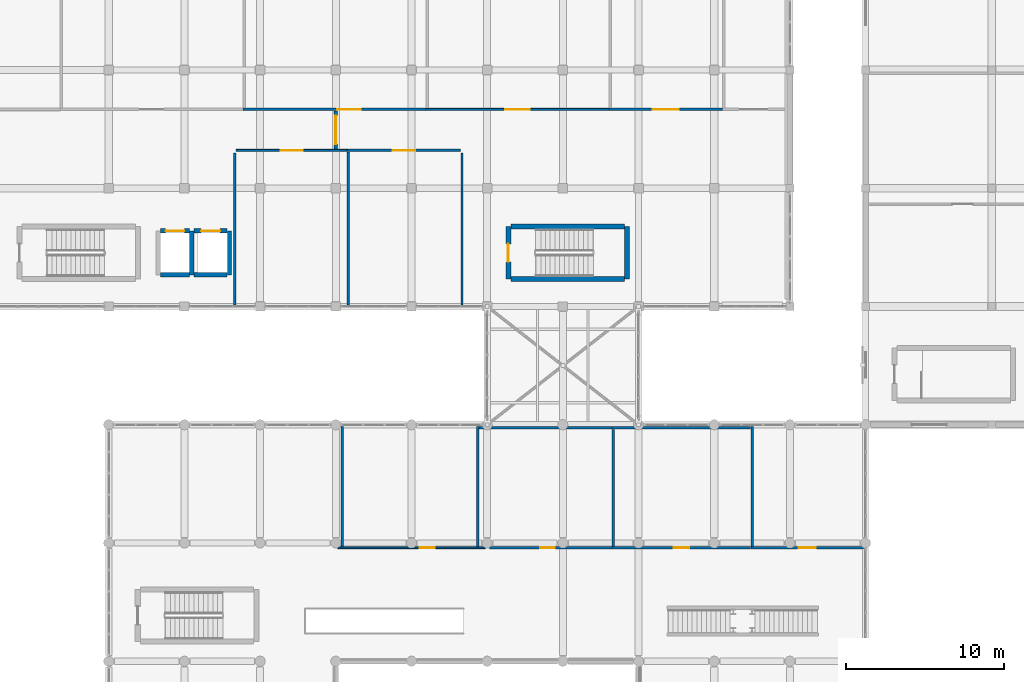
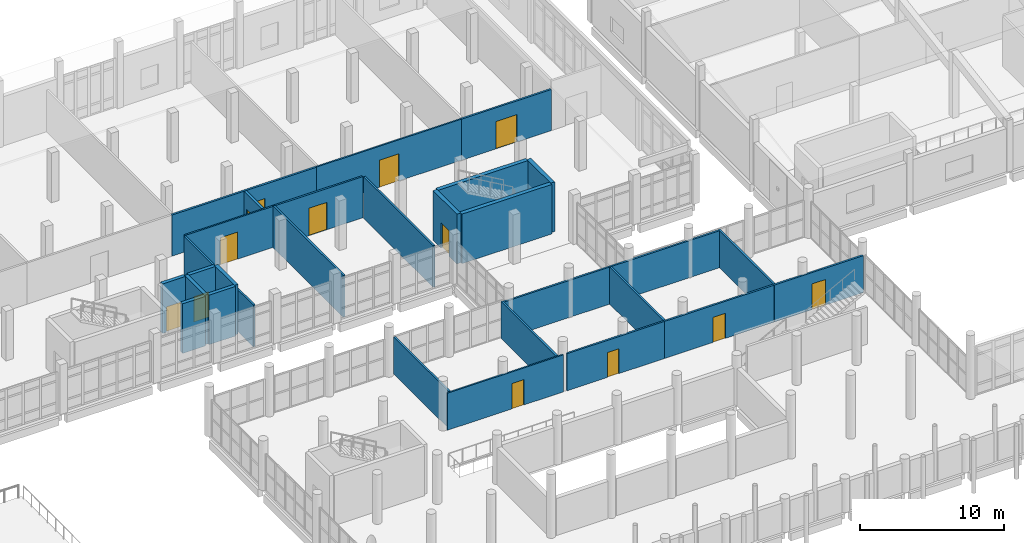
# One storey, part 145 of 164: 29 walls, 13 doors, 13 openings.
"""IFC4 building model written with IfcOpenShell, lengths in metres."""

from ifc_helpers import new_model, si_unit, direction, frame, frame_2d, origin, place, context, subcontext, project, spatial, rectangle, extrude, material, layer, layer_set, type_object, element, fill, save


model = new_model("IFC4")

# Units and contexts
model_context = context("Model", 3, precision=1e-05, world=origin(), true_north=direction((0.0, 1.0)))
body_context = subcontext(model_context, "Body", "Model", "MODEL_VIEW")
ifc_project = project(units=[si_unit("LENGTHUNIT", "METRE"), si_unit("AREAUNIT", "SQUARE_METRE"), si_unit("VOLUMEUNIT", "CUBIC_METRE"), si_unit("PLANEANGLEUNIT", "RADIAN"), si_unit("MASSUNIT", "GRAM", prefix="KILO")], contexts=[model_context])

# Site, building, storey
site_placement = place(None, origin())
site = spatial("IfcSite", under=ifc_project, at=site_placement, CompositionType="ELEMENT")
building_placement = place(site_placement, origin())
building = spatial("IfcBuilding", under=site, at=building_placement, Name="Mawjan Specialist Oncology Clinic", CompositionType="ELEMENT")
storey_placement = place(building_placement, frame((0.0, 0.0, 5.0)))
storey = spatial("IfcBuildingStorey", under=building, at=storey_placement, Name="L01", CompositionType="ELEMENT", Elevation=5.0)

# Walls
ifc_material_1 = material(Name="Concrete C45/55", Category="concrete")
ifc_layer_1 = layer(ifc_material_1, 0.280029296875, Name="Concrete C45/55", Category="concrete")
ifc_layer_set_1 = layer_set([ifc_layer_1], Name="Concrete C45/55")
wall_type_1 = type_object("IfcWallType", Name="SW-300", PredefinedType="SHEAR", material=ifc_layer_set_1)
wall_1_placement = place(storey_placement, frame((63.2861328125, 85.306640625, 0.0), z_axis=(0.0, 0.0, 1.0), x_axis=(1.0, 0.0, 0.0)))
element("IfcWall", 1, at=wall_1_placement, inside=storey, type_object=wall_type_1, Name="L01 LF-05 Hoistway Wall 1", PredefinedType="SHEAR", context=body_context, shape_type="SweptSolid", body=[
    extrude(rectangle(XDim=1.827880859375, YDim=0.280029296875, at=frame_2d((0.9140625, 0.0))), origin(), (0.0, 0.0, 1.0), 4.199951171875),
])
wall_2_placement = place(storey_placement, frame((65.259033203125, 85.306640625, 0.0), z_axis=(0.0, 0.0, 1.0), x_axis=(0.0, 1.0, 0.0)))
element("IfcWall", 2, at=wall_2_placement, inside=storey, type_object=wall_type_1, Name="L01 LF-05 Hoistway Wall 2", PredefinedType="SHEAR", context=body_context, shape_type="SweptSolid", body=[
    extrude(rectangle(XDim=2.78662109375, YDim=0.280029296875, at=frame_2d((1.393310546875, 0.0))), origin(), (0.0, 0.0, 1.0), 4.199951171875),
])

# Wall, opening, door
wall_3_placement = place(storey_placement, frame((65.114013671875, 88.09326171875, 0.0), z_axis=(0.0, 0.0, 1.0), x_axis=(-1.0, 0.0, 0.0)))
wall_3 = element("IfcWall", 3, at=wall_3_placement, inside=storey, type_object=wall_type_1, Name="L01 LF-05 Hoistway Wall 3", PredefinedType="SHEAR", context=body_context, shape_type="SweptSolid", body=[
    extrude(rectangle(XDim=1.827880859375, YDim=0.280029296875, at=frame_2d((0.9140625, 0.0))), origin(), (0.0, 0.0, 1.0), 4.199951171875),
])
opening_1_placement = place(wall_3_placement, frame((0.31396484375, 0.0, 0.0)))
opening_1 = element("IfcOpeningElement", 4, at=opening_1_placement, cuts=wall_3, Name="Opening LD-05-L01", PredefinedType="OPENING", context=body_context, shape_type="SweptSolid", body=[
    extrude(rectangle(XDim=1.199951171875, YDim=2.14990234375, at=frame_2d((0.60009765625, 1.074951171875))), frame((0.0, 0.152099609375, 0.0), z_axis=(0.0, -1.0, 0.0), x_axis=(1.0, 0.0, 0.0)), (0.0, 0.0, 1.0), 0.303955078125),
])
ifc_material_2 = material(Name="Stainless-steel fire-rated hospital door", Category="steel")
door_type_1 = type_object("IfcDoorType", Name="LD-120", OperationType="SLIDING_TO_LEFT", PredefinedType="DOOR", material=ifc_material_2)
door_1_placement = place(opening_1_placement, origin())
door_1 = element("IfcDoor", 5, at=door_1_placement, inside=storey, type_object=door_type_1, Name="L01 LF-05 Sliding Lift Landing Door", OperationType="SLIDING_TO_LEFT", OverallHeight=2.14990234375, OverallWidth=1.199951171875, PredefinedType="DOOR", context=body_context, shape_type="SweptSolid", body=[
    extrude(rectangle(XDim=1.199951171875, YDim=2.14990234375, at=frame_2d((0.60009765625, 1.074951171875))), frame((0.0, 0.02490234375, 0.0), z_axis=(0.0, -1.0, 0.0), x_axis=(1.0, 0.0, 0.0)), (0.0, 0.0, 1.0), 0.050048828125),
])
fill(opening_1, door_1)

# Walls
wall_4_placement = place(storey_placement, frame((65.40380859375, 85.306640625, 0.0), z_axis=(0.0, 0.0, 1.0), x_axis=(1.0, 0.0, 0.0)))
element("IfcWall", 6, at=wall_4_placement, inside=storey, type_object=wall_type_1, Name="L01 LF-06 Hoistway Wall 1", PredefinedType="SHEAR", context=body_context, shape_type="SweptSolid", body=[
    extrude(rectangle(XDim=2.110107421875, YDim=0.280029296875, at=frame_2d((1.05517578125, 0.0))), origin(), (0.0, 0.0, 1.0), 4.199951171875),
])
wall_5_placement = place(storey_placement, frame((67.658935546875, 85.306640625, 0.0), z_axis=(0.0, 0.0, 1.0), x_axis=(0.0, 1.0, 0.0)))
element("IfcWall", 7, at=wall_5_placement, inside=storey, type_object=wall_type_1, Name="L01 LF-06 Hoistway Wall 2", PredefinedType="SHEAR", context=body_context, shape_type="SweptSolid", body=[
    extrude(rectangle(XDim=2.78662109375, YDim=0.280029296875, at=frame_2d((1.393310546875, 0.0))), origin(), (0.0, 0.0, 1.0), 4.199951171875),
])

# Wall, opening, door
wall_6_placement = place(storey_placement, frame((67.513916015625, 88.09326171875, 0.0), z_axis=(0.0, 0.0, 1.0), x_axis=(-1.0, 0.0, 0.0)))
wall_6 = element("IfcWall", 8, at=wall_6_placement, inside=storey, type_object=wall_type_1, Name="L01 LF-06 Hoistway Wall 3", PredefinedType="SHEAR", context=body_context, shape_type="SweptSolid", body=[
    extrude(rectangle(XDim=2.110107421875, YDim=0.280029296875, at=frame_2d((1.05517578125, 0.0))), origin(), (0.0, 0.0, 1.0), 4.199951171875),
])
opening_2_placement = place(wall_6_placement, frame((0.455078125, 0.0, 0.0)))
opening_2 = element("IfcOpeningElement", 9, at=opening_2_placement, cuts=wall_6, Name="Opening LD-06-L01", PredefinedType="OPENING", context=body_context, shape_type="SweptSolid", body=[
    extrude(rectangle(XDim=1.199951171875, YDim=2.14990234375, at=frame_2d((0.60009765625, 1.074951171875))), frame((0.0, 0.152099609375, 0.0), z_axis=(0.0, -1.0, 0.0), x_axis=(1.0, 0.0, 0.0)), (0.0, 0.0, 1.0), 0.303955078125),
])
door_2_placement = place(opening_2_placement, origin())
door_2 = element("IfcDoor", 10, at=door_2_placement, inside=storey, type_object=door_type_1, Name="L01 LF-06 Sliding Lift Landing Door", OperationType="SLIDING_TO_RIGHT", OverallHeight=2.14990234375, OverallWidth=1.199951171875, PredefinedType="DOOR", context=body_context, shape_type="SweptSolid", body=[
    extrude(rectangle(XDim=1.199951171875, YDim=2.14990234375, at=frame_2d((0.60009765625, 1.074951171875))), frame((0.0, 0.02490234375, 0.0), z_axis=(0.0, -1.0, 0.0), x_axis=(1.0, 0.0, 0.0)), (0.0, 0.0, 1.0), 0.050048828125),
])
fill(opening_2, door_2)

# Walls
ifc_material_3 = material(Name="Concrete C45/55", Category="concrete")
ifc_layer_2 = layer(ifc_material_3, 0.320068359375, Name="Concrete C45/55", Category="concrete")
ifc_layer_set_2 = layer_set([ifc_layer_2], Name="Concrete C45/55")
wall_type_2 = type_object("IfcWallType", Name="SW-350", PredefinedType="SHEAR", material=ifc_layer_set_2)
wall_7_placement = place(storey_placement, frame((85.5048828125, 85.0400390625, 0.0), z_axis=(0.0, 0.0, 1.0), x_axis=(1.0, 0.0, 0.0)))
element("IfcWall", 11, at=wall_7_placement, inside=storey, type_object=wall_type_2, Name="L01 Core K4 Stair Shear Wall 1", PredefinedType="SHEAR", context=body_context, shape_type="SweptSolid", body=[
    extrude(rectangle(XDim=7.190185546875, YDim=0.320068359375, at=frame_2d((3.59521484375, 0.0))), origin(), (0.0, 0.0, 1.0), 4.199951171875),
])
wall_8_placement = place(storey_placement, frame((92.860107421875, 85.0400390625, 0.0), z_axis=(0.0, 0.0, 1.0), x_axis=(0.0, 1.0, 0.0)))
element("IfcWall", 12, at=wall_8_placement, inside=storey, type_object=wall_type_2, Name="L01 Core K4 Stair Shear Wall 2", PredefinedType="SHEAR", context=body_context, shape_type="SweptSolid", body=[
    extrude(rectangle(XDim=3.320068359375, YDim=0.320068359375, at=frame_2d((1.66015625, 0.0))), origin(), (0.0, 0.0, 1.0), 4.199951171875),
])
wall_9_placement = place(storey_placement, frame((92.695068359375, 88.360107421875, 0.0), z_axis=(0.0, 0.0, 1.0), x_axis=(-1.0, 0.0, 0.0)))
element("IfcWall", 13, at=wall_9_placement, inside=storey, type_object=wall_type_2, Name="L01 Core K4 Stair Shear Wall 3", PredefinedType="SHEAR", context=body_context, shape_type="SweptSolid", body=[
    extrude(rectangle(XDim=7.190185546875, YDim=0.320068359375, at=frame_2d((3.59521484375, 0.0))), origin(), (0.0, 0.0, 1.0), 4.199951171875),
])

# Wall, opening, door
wall_10_placement = place(storey_placement, frame((85.340087890625, 88.360107421875, 0.0), z_axis=(0.0, 0.0, 1.0), x_axis=(0.0, -1.0, 0.0)))
wall_10 = element("IfcWall", 14, at=wall_10_placement, inside=storey, type_object=wall_type_2, Name="L01 Core K4 Stair Shear Wall 4", PredefinedType="SHEAR", context=body_context, shape_type="SweptSolid", body=[
    extrude(rectangle(XDim=3.320068359375, YDim=0.320068359375, at=frame_2d((1.66015625, 0.0))), origin(), (0.0, 0.0, 1.0), 4.199951171875),
])
opening_3_placement = place(wall_10_placement, frame((1.0849609375, 0.0, 0.0)))
opening_3 = element("IfcOpeningElement", 15, at=opening_3_placement, cuts=wall_10, Name="Opening FD-90", PredefinedType="OPENING", context=body_context, shape_type="SweptSolid", body=[
    extrude(rectangle(XDim=1.14990234375, YDim=2.14990234375, at=frame_2d((0.574951171875, 1.074951171875))), frame((0.0, 0.172119140625, 0.0), z_axis=(0.0, -1.0, 0.0), x_axis=(1.0, 0.0, 0.0)), (0.0, 0.0, 1.0), 0.343994140625),
])
ifc_material_4 = material(Name="Stainless-steel fire-rated hospital door", Category="steel")
door_type_2 = type_object("IfcDoorType", Name="FD-90", OperationType="NOTDEFINED", PredefinedType="DOOR", material=ifc_material_4)
door_3_placement = place(opening_3_placement, origin())
door_3 = element("IfcDoor", 16, at=door_3_placement, inside=storey, type_object=door_type_2, Name="L01 ST-04 Fire Exit Stair Door", OperationType="SINGLE_SWING_RIGHT", OverallHeight=2.14990234375, OverallWidth=1.14990234375, PredefinedType="DOOR", context=body_context, shape_type="SweptSolid", body=[
    extrude(rectangle(XDim=1.14990234375, YDim=2.14990234375, at=frame_2d((0.574951171875, 1.074951171875))), frame((0.0, 0.02490234375, 0.0), z_axis=(0.0, -1.0, 0.0), x_axis=(1.0, 0.0, 0.0)), (0.0, 0.0, 1.0), 0.050048828125),
])
fill(opening_3, door_3)

ifc_material_5 = material(Name="Moisture-resistant washroom partition", Category="gypsum")
ifc_layer_3 = layer(ifc_material_5, 0.125, Name="Moisture-resistant washroom partition", Category="gypsum")
ifc_layer_set_3 = layer_set([ifc_layer_3], Name="Moisture-resistant washroom partition")
wall_type_3 = type_object("IfcWallType", Name="WP-125", PredefinedType="PARTITIONING", material=ifc_layer_set_3)
wall_11_placement = place(storey_placement, frame((74.536865234375, 68.0, 0.0), z_axis=(0.0, 0.0, 1.0), x_axis=(1.0, 0.0, 0.0)))
wall_11 = element("IfcWall", 17, at=wall_11_placement, inside=storey, type_object=wall_type_3, Name="L01 Interior Partition W-INT-L01-H11-C", PredefinedType="PARTITIONING", context=body_context, shape_type="SweptSolid", body=[
    extrude(rectangle(XDim=9.326171875, YDim=0.125, at=frame_2d((4.6630859375, 0.0))), origin(), (0.0, 0.0, 1.0), 3.139892578125),
])
opening_4_placement = place(wall_11_placement, frame((5.193115234375, 0.0, 0.0)))
opening_4 = element("IfcOpeningElement", 18, at=opening_4_placement, cuts=wall_11, Name="Opening DA-95", PredefinedType="OPENING", context=body_context, shape_type="SweptSolid", body=[
    extrude(rectangle(XDim=0.949951171875, YDim=2.14990234375, at=frame_2d((0.47509765625, 1.074951171875))), frame((0.0, 0.074462890625, 0.0), z_axis=(0.0, -1.0, 0.0), x_axis=(1.0, 0.0, 0.0)), (0.0, 0.0, 1.0), 0.14892578125),
])
ifc_material_6 = material(Name="Acoustic laminate hospital door leaf", Category="wood")
door_type_3 = type_object("IfcDoorType", Name="DA-95", OperationType="NOTDEFINED", PredefinedType="DOOR", material=ifc_material_6)
door_4_placement = place(opening_4_placement, origin())
door_4 = element("IfcDoor", 19, at=door_4_placement, inside=storey, type_object=door_type_3, Name="L01 Garden-View Open Infusion Suite Door", OperationType="SINGLE_SWING_LEFT", OverallHeight=2.14990234375, OverallWidth=0.949951171875, PredefinedType="DOOR", context=body_context, shape_type="SweptSolid", body=[
    extrude(rectangle(XDim=0.949951171875, YDim=2.14990234375, at=frame_2d((0.47509765625, 1.074951171875))), frame((0.0, 0.02490234375, 0.0), z_axis=(0.0, -1.0, 0.0), x_axis=(1.0, 0.0, 0.0)), (0.0, 0.0, 1.0), 0.050048828125),
])
fill(opening_4, door_4)

wall_12_placement = place(storey_placement, frame((80.126953125, 95.800048828125, 0.0), z_axis=(0.0, 0.0, 1.0), x_axis=(1.0, 0.0, 0.0)))
wall_12 = element("IfcWall", 20, at=wall_12_placement, inside=storey, type_object=wall_type_3, Name="L01 Interior Partition W-INT-L01-P14-C", PredefinedType="PARTITIONING", context=body_context, shape_type="SweptSolid", body=[
    extrude(rectangle(XDim=11.588134765625, YDim=0.125, at=frame_2d((5.7939453125, 0.0))), origin(), (0.0, 0.0, 1.0), 3.485107421875),
])
opening_5_placement = place(wall_12_placement, frame((5.013916015625, 0.0, 0.0)))
opening_5 = element("IfcOpeningElement", 21, at=opening_5_placement, cuts=wall_12, Name="Opening DC-156", PredefinedType="OPENING", context=body_context, shape_type="SweptSolid", body=[
    extrude(rectangle(XDim=1.56005859375, YDim=2.300048828125, at=frame_2d((0.780029296875, 1.14990234375))), frame((0.0, 0.074462890625, 0.0), z_axis=(0.0, -1.0, 0.0), x_axis=(1.0, 0.0, 0.0)), (0.0, 0.0, 1.0), 0.14892578125),
])
ifc_material_7 = material(Name="Acoustic laminate hospital door leaf", Category="wood")
door_type_4 = type_object("IfcDoorType", Name="DC-156", OperationType="NOTDEFINED", PredefinedType="DOOR", material=ifc_material_7)
door_5_placement = place(opening_5_placement, origin())
door_5 = element("IfcDoor", 22, at=door_5_placement, inside=storey, type_object=door_type_4, Name="L01 PACU Phase I Recovery Suite Door", OperationType="SINGLE_SWING_RIGHT", OverallHeight=2.300048828125, OverallWidth=1.56005859375, PredefinedType="DOOR", context=body_context, shape_type="SweptSolid", body=[
    extrude(rectangle(XDim=1.56005859375, YDim=2.300048828125, at=frame_2d((0.780029296875, 1.14990234375))), frame((0.0, 0.02490234375, 0.0), z_axis=(0.0, -1.0, 0.0), x_axis=(1.0, 0.0, 0.0)), (0.0, 0.0, 1.0), 0.050048828125),
])
fill(opening_5, door_5)

wall_13_placement = place(storey_placement, frame((68.0849609375, 93.199951171875, 0.0), z_axis=(0.0, 0.0, 1.0), x_axis=(1.0, 0.0, 0.0)))
wall_13 = element("IfcWall", 23, at=wall_13_placement, inside=storey, type_object=wall_type_3, Name="L01 Interior Partition W-INT-L01-P16-C", PredefinedType="PARTITIONING", context=body_context, shape_type="SweptSolid", body=[
    extrude(rectangle(XDim=7.030029296875, YDim=0.125, at=frame_2d((3.51513671875, 0.0))), origin(), (0.0, 0.0, 1.0), 3.485107421875),
])
opening_6_placement = place(wall_13_placement, frame((2.824951171875, 0.0, 0.0)))
opening_6 = element("IfcOpeningElement", 24, at=opening_6_placement, cuts=wall_13, Name="Opening DM-MRI", PredefinedType="OPENING", context=body_context, shape_type="SweptSolid", body=[
    extrude(rectangle(XDim=1.3798828125, YDim=2.300048828125, at=frame_2d((0.68994140625, 1.14990234375))), frame((0.0, 0.074462890625, 0.0), z_axis=(0.0, -1.0, 0.0), x_axis=(1.0, 0.0, 0.0)), (0.0, 0.0, 1.0), 0.14892578125),
])
ifc_material_8 = material(Name="Acoustic laminate hospital door leaf", Category="wood")
door_type_5 = type_object("IfcDoorType", Name="DM-MRI", OperationType="NOTDEFINED", PredefinedType="DOOR", material=ifc_material_8)
door_6_placement = place(opening_6_placement, origin())
door_6 = element("IfcDoor", 25, at=door_6_placement, inside=storey, type_object=door_type_5, Name="L01 Surgical Instrument Sterile Sub-Store Door", OperationType="SINGLE_SWING_LEFT", OverallHeight=2.300048828125, OverallWidth=1.3798828125, PredefinedType="DOOR", context=body_context, shape_type="SweptSolid", body=[
    extrude(rectangle(XDim=1.3798828125, YDim=2.300048828125, at=frame_2d((0.68994140625, 1.14990234375))), frame((0.0, 0.02490234375, 0.0), z_axis=(0.0, -1.0, 0.0), x_axis=(1.0, 0.0, 0.0)), (0.0, 0.0, 1.0), 0.050048828125),
])
fill(opening_6, door_6)

ifc_material_9 = material(Name="Acoustic gypsum clinical partition", Category="gypsum")
ifc_layer_4 = layer(ifc_material_9, 0.14990234375, Name="Acoustic gypsum clinical partition", Category="gypsum")
ifc_layer_set_4 = layer_set([ifc_layer_4], Name="Acoustic gypsum clinical partition")
wall_type_4 = type_object("IfcWallType", Name="WP-150", PredefinedType="PARTITIONING", material=ifc_layer_set_4)
wall_14_placement = place(storey_placement, frame((84.136962890625, 68.0, 0.0), z_axis=(0.0, 0.0, 1.0), x_axis=(1.0, 0.0, 0.0)))
wall_14 = element("IfcWall", 26, at=wall_14_placement, inside=storey, type_object=wall_type_4, Name="L01 Interior Partition W-INT-L01-H12-C", PredefinedType="PARTITIONING", context=body_context, shape_type="SweptSolid", body=[
    extrude(rectangle(XDim=7.778076171875, YDim=0.14990234375, at=frame_2d((3.88916015625, 0.0))), origin(), (0.0, 0.0, 1.0), 3.139892578125),
])
opening_7_placement = place(wall_14_placement, frame((3.223388671875, 0.0, 0.0)))
opening_7 = element("IfcOpeningElement", 27, at=opening_7_placement, cuts=wall_14, Name="Opening DI-92", PredefinedType="OPENING", context=body_context, shape_type="SweptSolid", body=[
    extrude(rectangle(XDim=0.919921875, YDim=2.10009765625, at=frame_2d((0.4599609375, 1.050048828125))), frame((0.0, 0.0869140625, 0.0), z_axis=(0.0, -1.0, 0.0), x_axis=(1.0, 0.0, 0.0)), (0.0, 0.0, 1.0), 0.173828125),
])
ifc_material_10 = material(Name="Acoustic laminate hospital door leaf", Category="wood")
door_type_6 = type_object("IfcDoorType", Name="DI-92", OperationType="NOTDEFINED", PredefinedType="DOOR", material=ifc_material_10)
door_7_placement = place(opening_7_placement, origin())
door_7 = element("IfcDoor", 28, at=door_7_placement, inside=storey, type_object=door_type_6, Name="L01 Cell Therapy Treatment Room Door", OperationType="SINGLE_SWING_RIGHT", OverallHeight=2.10009765625, OverallWidth=0.919921875, PredefinedType="DOOR", context=body_context, shape_type="SweptSolid", body=[
    extrude(rectangle(XDim=0.919921875, YDim=2.10009765625, at=frame_2d((0.4599609375, 1.050048828125))), frame((0.0, 0.02490234375, 0.0), z_axis=(0.0, -1.0, 0.0), x_axis=(1.0, 0.0, 0.0)), (0.0, 0.0, 1.0), 0.050048828125),
])
fill(opening_7, door_7)

wall_15_placement = place(storey_placement, frame((91.927001953125, 68.0, 0.0), z_axis=(0.0, 0.0, 1.0), x_axis=(1.0, 0.0, 0.0)))
wall_15 = element("IfcWall", 29, at=wall_15_placement, inside=storey, type_object=wall_type_4, Name="L01 Interior Partition W-INT-L01-H13-C", PredefinedType="PARTITIONING", context=body_context, shape_type="SweptSolid", body=[
    extrude(rectangle(XDim=8.7880859375, YDim=0.14990234375, at=frame_2d((4.39404296875, 0.0))), origin(), (0.0, 0.0, 1.0), 3.139892578125),
])
opening_8_placement = place(wall_15_placement, frame((3.904052734375, 0.0, 0.0)))
opening_8 = element("IfcOpeningElement", 30, at=opening_8_placement, cuts=wall_15, Name="Opening DI-98", PredefinedType="OPENING", context=body_context, shape_type="SweptSolid", body=[
    extrude(rectangle(XDim=0.97998046875, YDim=2.1201171875, at=frame_2d((0.489990234375, 1.06005859375))), frame((0.0, 0.0869140625, 0.0), z_axis=(0.0, -1.0, 0.0), x_axis=(1.0, 0.0, 0.0)), (0.0, 0.0, 1.0), 0.173828125),
])
ifc_material_11 = material(Name="Acoustic laminate hospital door leaf", Category="wood")
door_type_7 = type_object("IfcDoorType", Name="DI-98", OperationType="NOTDEFINED", PredefinedType="DOOR", material=ifc_material_11)
door_8_placement = place(opening_8_placement, origin())
door_8 = element("IfcDoor", 31, at=door_8_placement, inside=storey, type_object=door_type_7, Name="L01 Infusion Nurse Preparation Station Door", OperationType="SINGLE_SWING_LEFT", OverallHeight=2.1201171875, OverallWidth=0.97998046875, PredefinedType="DOOR", context=body_context, shape_type="SweptSolid", body=[
    extrude(rectangle(XDim=0.97998046875, YDim=2.1201171875, at=frame_2d((0.489990234375, 1.06005859375))), frame((0.0, 0.02490234375, 0.0), z_axis=(0.0, -1.0, 0.0), x_axis=(1.0, 0.0, 0.0)), (0.0, 0.0, 1.0), 0.050048828125),
])
fill(opening_8, door_8)

wall_16_placement = place(storey_placement, frame((100.72705078125, 68.0, 0.0), z_axis=(0.0, 0.0, 1.0), x_axis=(1.0, 0.0, 0.0)))
wall_16 = element("IfcWall", 32, at=wall_16_placement, inside=storey, type_object=wall_type_4, Name="L01 Interior Partition W-INT-L01-H14-C", PredefinedType="PARTITIONING", context=body_context, shape_type="SweptSolid", body=[
    extrude(rectangle(XDim=7.135986328125, YDim=0.14990234375, at=frame_2d((3.56787109375, 0.0))), origin(), (0.0, 0.0, 1.0), 3.139892578125),
])
opening_9_placement = place(wall_16_placement, frame((3.028076171875, 0.0, 0.0)))
opening_9 = element("IfcOpeningElement", 33, at=opening_9_placement, cuts=wall_16, Name="Opening DI-108", PredefinedType="OPENING", context=body_context, shape_type="SweptSolid", body=[
    extrude(rectangle(XDim=1.080078125, YDim=2.179931640625, at=frame_2d((0.5400390625, 1.08984375))), frame((0.0, 0.0869140625, 0.0), z_axis=(0.0, -1.0, 0.0), x_axis=(1.0, 0.0, 0.0)), (0.0, 0.0, 1.0), 0.173828125),
])
ifc_material_12 = material(Name="Acoustic laminate hospital door leaf", Category="wood")
door_type_8 = type_object("IfcDoorType", Name="DI-108", OperationType="NOTDEFINED", PredefinedType="DOOR", material=ifc_material_12)
door_9_placement = place(opening_9_placement, origin())
door_9 = element("IfcDoor", 34, at=door_9_placement, inside=storey, type_object=door_type_8, Name="L01 Accessible Patient Washroom Door", OperationType="SINGLE_SWING_RIGHT", OverallHeight=2.179931640625, OverallWidth=1.080078125, PredefinedType="DOOR", context=body_context, shape_type="SweptSolid", body=[
    extrude(rectangle(XDim=1.080078125, YDim=2.179931640625, at=frame_2d((0.5400390625, 1.08984375))), frame((0.0, 0.02490234375, 0.0), z_axis=(0.0, -1.0, 0.0), x_axis=(1.0, 0.0, 0.0)), (0.0, 0.0, 1.0), 0.050048828125),
])
fill(opening_9, door_9)

wall_17_placement = place(storey_placement, frame((91.72705078125, 95.800048828125, 0.0), z_axis=(0.0, 0.0, 1.0), x_axis=(1.0, 0.0, 0.0)))
wall_17 = element("IfcWall", 35, at=wall_17_placement, inside=storey, type_object=wall_type_4, Name="L01 Interior Partition W-INT-L01-P15A-C", PredefinedType="PARTITIONING", context=body_context, shape_type="SweptSolid", body=[
    extrude(rectangle(XDim=7.18798828125, YDim=0.14990234375, at=frame_2d((3.593994140625, 0.0))), origin(), (0.0, 0.0, 1.0), 3.485107421875),
])
opening_10_placement = place(wall_17_placement, frame((2.76904296875, 0.0, 0.0)))
opening_10 = element("IfcOpeningElement", 36, at=opening_10_placement, cuts=wall_17, Name="Opening DC-165", PredefinedType="OPENING", context=body_context, shape_type="SweptSolid", body=[
    extrude(rectangle(XDim=1.64990234375, YDim=2.320068359375, at=frame_2d((0.824951171875, 1.16015625))), frame((0.0, 0.0869140625, 0.0), z_axis=(0.0, -1.0, 0.0), x_axis=(1.0, 0.0, 0.0)), (0.0, 0.0, 1.0), 0.173828125),
])
ifc_material_13 = material(Name="Acoustic laminate hospital door leaf", Category="wood")
door_type_9 = type_object("IfcDoorType", Name="DC-165", OperationType="NOTDEFINED", PredefinedType="DOOR", material=ifc_material_13)
door_10_placement = place(opening_10_placement, origin())
door_10 = element("IfcDoor", 37, at=door_10_placement, inside=storey, type_object=door_type_9, Name="L01 Post-Anesthesia Observation Suite Door", OperationType="SINGLE_SWING_LEFT", OverallHeight=2.320068359375, OverallWidth=1.64990234375, PredefinedType="DOOR", context=body_context, shape_type="SweptSolid", body=[
    extrude(rectangle(XDim=1.64990234375, YDim=2.320068359375, at=frame_2d((0.824951171875, 1.16015625))), frame((0.0, 0.02490234375, 0.0), z_axis=(0.0, -1.0, 0.0), x_axis=(1.0, 0.0, 0.0)), (0.0, 0.0, 1.0), 0.050048828125),
])
fill(opening_10, door_10)

wall_18_placement = place(storey_placement, frame((75.126953125, 93.199951171875, 0.0), z_axis=(0.0, 0.0, 1.0), x_axis=(1.0, 0.0, 0.0)))
wall_18 = element("IfcWall", 38, at=wall_18_placement, inside=storey, type_object=wall_type_4, Name="L01 Interior Partition W-INT-L01-P17-C", PredefinedType="PARTITIONING", context=body_context, shape_type="SweptSolid", body=[
    extrude(rectangle(XDim=7.18798828125, YDim=0.14990234375, at=frame_2d((3.593994140625, 0.0))), origin(), (0.0, 0.0, 1.0), 3.485107421875),
])
opening_11_placement = place(wall_18_placement, frame((2.8740234375, 0.0, 0.0)))
opening_11 = element("IfcOpeningElement", 39, at=opening_11_placement, cuts=wall_18, Name="Opening DM-CT", PredefinedType="OPENING", context=body_context, shape_type="SweptSolid", body=[
    extrude(rectangle(XDim=1.43994140625, YDim=2.320068359375, at=frame_2d((0.719970703125, 1.16015625))), frame((0.0, 0.0869140625, 0.0), z_axis=(0.0, -1.0, 0.0), x_axis=(1.0, 0.0, 0.0)), (0.0, 0.0, 1.0), 0.173828125),
])
ifc_material_14 = material(Name="Acoustic laminate hospital door leaf", Category="wood")
door_type_10 = type_object("IfcDoorType", Name="DM-CT", OperationType="NOTDEFINED", PredefinedType="DOOR", material=ifc_material_14)
door_11_placement = place(opening_11_placement, origin())
door_11 = element("IfcDoor", 40, at=door_11_placement, inside=storey, type_object=door_type_10, Name="L01 Procedure Staff Changing Room Door", OperationType="SINGLE_SWING_RIGHT", OverallHeight=2.320068359375, OverallWidth=1.43994140625, PredefinedType="DOOR", context=body_context, shape_type="SweptSolid", body=[
    extrude(rectangle(XDim=1.43994140625, YDim=2.320068359375, at=frame_2d((0.719970703125, 1.16015625))), frame((0.0, 0.02490234375, 0.0), z_axis=(0.0, -1.0, 0.0), x_axis=(1.0, 0.0, 0.0)), (0.0, 0.0, 1.0), 0.050048828125),
])
fill(opening_11, door_11)

# Walls
wall_19_placement = place(storey_placement, frame((83.485107421875, 75.60009765625, 0.0), z_axis=(0.0, 0.0, 1.0), x_axis=(1.0, 0.0, 0.0)))
element("IfcWall", 41, at=wall_19_placement, inside=storey, type_object=wall_type_4, Name="L01 Interior Partition W-INT-L01-H12-R", PredefinedType="PARTITIONING", context=body_context, shape_type="SweptSolid", body=[
    extrude(rectangle(XDim=8.429931640625, YDim=0.14990234375, at=frame_2d((4.21484375, 0.0))), origin(), (0.0, 0.0, 1.0), 3.139892578125),
])
wall_20_placement = place(storey_placement, frame((91.927001953125, 75.60009765625, 0.0), z_axis=(0.0, 0.0, 1.0), x_axis=(1.0, 0.0, 0.0)))
element("IfcWall", 42, at=wall_20_placement, inside=storey, type_object=wall_type_4, Name="L01 Interior Partition W-INT-L01-H13-R", PredefinedType="PARTITIONING", context=body_context, shape_type="SweptSolid", body=[
    extrude(rectangle(XDim=8.7880859375, YDim=0.14990234375, at=frame_2d((4.39404296875, 0.0))), origin(), (0.0, 0.0, 1.0), 3.139892578125),
])
wall_21_placement = place(storey_placement, frame((74.800048828125, 68.074462890625, 0.0), z_axis=(0.0, 0.0, 1.0), x_axis=(0.0, 1.0, 0.0)))
element("IfcWall", 43, at=wall_21_placement, inside=storey, type_object=wall_type_4, Name="L01 Interior Partition W-INT-L01-H11-D0", PredefinedType="PARTITIONING", context=body_context, shape_type="SweptSolid", body=[
    extrude(rectangle(XDim=7.62353515625, YDim=0.14990234375, at=frame_2d((3.811767578125, 0.0))), origin(), (0.0, 0.0, 1.0), 3.139892578125),
])
for number, where, z_axis, x_axis, name in (
    (44, (68.0, 83.402099609375, 0.0), (0.0, 0.0, 1.0), (0.0, 1.0, 0.0), "L01 Interior Partition W-INT-L01-P16-D0"),
    (45, (82.39990234375, 83.402099609375, 0.0), (0.0, 0.0, 1.0), (0.0, 1.0, 0.0), "L01 Interior Partition W-INT-L01-P17-D"),
):
    element("IfcWall", number, at=place(storey_placement, frame(where, z_axis=z_axis, x_axis=x_axis)), inside=storey, type_object=wall_type_4, Name=name, PredefinedType="PARTITIONING", context=body_context, shape_type="SweptSolid", body=[
        extrude(rectangle(XDim=9.6328125, YDim=0.14990234375, at=frame_2d((4.81640625, 0.0))), origin(), (0.0, 0.0, 1.0), 3.534912109375),
    ])

# Wall, opening, door
ifc_material_15 = material(Name="Acoustic clinical twin-stud partition", Category="gypsum")
ifc_layer_5 = layer(ifc_material_15, 0.159912109375, Name="Acoustic clinical twin-stud partition", Category="gypsum")
ifc_layer_set_5 = layer_set([ifc_layer_5], Name="Acoustic clinical twin-stud partition")
wall_type_5 = type_object("IfcWallType", Name="WP-160", PredefinedType="PARTITIONING", material=ifc_layer_set_5)
wall_22_placement = place(storey_placement, frame((68.527099609375, 95.800048828125, 0.0), z_axis=(0.0, 0.0, 1.0), x_axis=(1.0, 0.0, 0.0)))
wall_22 = element("IfcWall", 46, at=wall_22_placement, inside=storey, type_object=wall_type_5, Name="L01 Interior Partition W-INT-L01-P13-C", PredefinedType="PARTITIONING", context=body_context, shape_type="SweptSolid", body=[
    extrude(rectangle(XDim=11.587890625, YDim=0.159912109375, at=frame_2d((5.7939453125, 0.0))), origin(), (0.0, 0.0, 1.0), 3.485107421875),
])
opening_12_placement = place(wall_22_placement, frame((5.951904296875, 0.0, 0.0)))
opening_12 = element("IfcOpeningElement", 47, at=opening_12_placement, cuts=wall_22, Name="Opening DC-150", PredefinedType="OPENING", context=body_context, shape_type="SweptSolid", body=[
    extrude(rectangle(XDim=1.5, YDim=2.280029296875, at=frame_2d((0.75, 1.14013671875))), frame((0.0, 0.092041015625, 0.0), z_axis=(0.0, -1.0, 0.0), x_axis=(1.0, 0.0, 0.0)), (0.0, 0.0, 1.0), 0.183837890625),
])
ifc_material_16 = material(Name="Acoustic laminate hospital door leaf", Category="wood")
door_type_11 = type_object("IfcDoorType", Name="DC-150", OperationType="NOTDEFINED", PredefinedType="DOOR", material=ifc_material_16)
door_12_placement = place(opening_12_placement, origin())
door_12 = element("IfcDoor", 48, at=door_12_placement, inside=storey, type_object=door_type_11, Name="L01 Day-Procedure Operating Theatre B Door", OperationType="SINGLE_SWING_LEFT", OverallHeight=2.280029296875, OverallWidth=1.5, PredefinedType="DOOR", context=body_context, shape_type="SweptSolid", body=[
    extrude(rectangle(XDim=1.5, YDim=2.280029296875, at=frame_2d((0.75, 1.14013671875))), frame((0.0, 0.02490234375, 0.0), z_axis=(0.0, -1.0, 0.0), x_axis=(1.0, 0.0, 0.0)), (0.0, 0.0, 1.0), 0.050048828125),
])
fill(opening_12, door_12)

# Walls
wall_23_placement = place(storey_placement, frame((83.39990234375, 68.074462890625, 0.0), z_axis=(0.0, 0.0, 1.0), x_axis=(0.0, 1.0, 0.0)))
element("IfcWall", 49, at=wall_23_placement, inside=storey, type_object=wall_type_5, Name="L01 Interior Partition W-INT-L01-H11-D", PredefinedType="PARTITIONING", context=body_context, shape_type="SweptSolid", body=[
    extrude(rectangle(XDim=7.62353515625, YDim=0.159912109375, at=frame_2d((3.811767578125, 0.0))), origin(), (0.0, 0.0, 1.0), 3.139892578125),
])
wall_24_placement = place(storey_placement, frame((92.0, 68.0869140625, 0.0), z_axis=(0.0, 0.0, 1.0), x_axis=(0.0, 1.0, 0.0)))
element("IfcWall", 50, at=wall_24_placement, inside=storey, type_object=wall_type_5, Name="L01 Interior Partition W-INT-L01-H12-D", PredefinedType="PARTITIONING", context=body_context, shape_type="SweptSolid", body=[
    extrude(rectangle(XDim=7.426025390625, YDim=0.159912109375, at=frame_2d((3.712890625, 0.0))), origin(), (0.0, 0.0, 1.0), 3.139892578125),
])
wall_25_placement = place(storey_placement, frame((100.800048828125, 68.0869140625, 0.0), z_axis=(0.0, 0.0, 1.0), x_axis=(0.0, 1.0, 0.0)))
element("IfcWall", 51, at=wall_25_placement, inside=storey, type_object=wall_type_5, Name="L01 Interior Partition W-INT-L01-H13-D", PredefinedType="PARTITIONING", context=body_context, shape_type="SweptSolid", body=[
    extrude(rectangle(XDim=7.611083984375, YDim=0.159912109375, at=frame_2d((3.8056640625, 0.0))), origin(), (0.0, 0.0, 1.0), 3.139892578125),
])
wall_26_placement = place(storey_placement, frame((75.199951171875, 83.402099609375, 0.0), z_axis=(0.0, 0.0, 1.0), x_axis=(0.0, 1.0, 0.0)))
element("IfcWall", 52, at=wall_26_placement, inside=storey, type_object=wall_type_5, Name="L01 Interior Partition W-INT-L01-P16-D", PredefinedType="PARTITIONING", context=body_context, shape_type="SweptSolid", body=[
    extrude(rectangle(XDim=9.7109375, YDim=0.159912109375, at=frame_2d((4.85546875, 0.0))), origin(), (0.0, 0.0, 1.0), 3.534912109375),
])

# Wall, opening, door
ifc_material_17 = material(Name="Insulated fire-rated gypsum stud partition", Category="gypsum")
ifc_layer_6 = layer(ifc_material_17, 0.199951171875, Name="Insulated fire-rated gypsum stud partition", Category="gypsum")
ifc_layer_set_6 = layer_set([ifc_layer_6], Name="Insulated fire-rated gypsum stud partition")
wall_type_6 = type_object("IfcWallType", Name="WS-60", PredefinedType="PARTITIONING", material=ifc_layer_set_6)
wall_27_placement = place(storey_placement, frame((74.39990234375, 93.284912109375, 0.0), z_axis=(0.0, 0.0, 1.0), x_axis=(0.0, 1.0, 0.0)))
wall_27 = element("IfcWall", 53, at=wall_27_placement, inside=storey, type_object=wall_type_6, Name="L01 Interior Partition W-SMK-L01-V5", PredefinedType="PARTITIONING", context=body_context, shape_type="SweptSolid", body=[
    extrude(rectangle(XDim=2.43017578125, YDim=0.199951171875, at=frame_2d((1.215087890625, 0.0))), origin(), (0.0, 0.0, 1.0), 3.485107421875),
])
opening_13_placement = place(wall_27_placement, frame((0.31494140625, 0.0, 0.0)))
opening_13 = element("IfcOpeningElement", 54, at=opening_13_placement, cuts=wall_27, Name="Opening DS-180", PredefinedType="OPENING", context=body_context, shape_type="SweptSolid", body=[
    extrude(rectangle(XDim=1.800048828125, YDim=2.14990234375, at=frame_2d((0.89990234375, 1.074951171875))), frame((0.0, 0.112060546875, 0.0), z_axis=(0.0, -1.0, 0.0), x_axis=(1.0, 0.0, 0.0)), (0.0, 0.0, 1.0), 0.223876953125),
])
ifc_material_18 = material(Name="Stainless-steel fire-rated hospital door", Category="steel")
door_type_12 = type_object("IfcDoorType", Name="DS-180", OperationType="DOUBLE_DOOR_SINGLE_SWING", PredefinedType="DOOR", material=ifc_material_18)
door_13_placement = place(opening_13_placement, origin())
door_13 = element("IfcDoor", 55, at=door_13_placement, inside=storey, type_object=door_type_12, Name="L01 Smoke Barrier Cross-Corridor Door", OperationType="DOUBLE_DOOR_SINGLE_SWING", OverallHeight=2.14990234375, OverallWidth=1.800048828125, PredefinedType="DOOR", context=body_context, shape_type="SweptSolid", body=[
    extrude(rectangle(XDim=1.800048828125, YDim=2.14990234375, at=frame_2d((0.89990234375, 1.074951171875))), frame((0.0, 0.02490234375, 0.0), z_axis=(0.0, -1.0, 0.0), x_axis=(1.0, 0.0, 0.0)), (0.0, 0.0, 1.0), 0.050048828125),
])
fill(opening_13, door_13)

save(model, "model.ifc")
